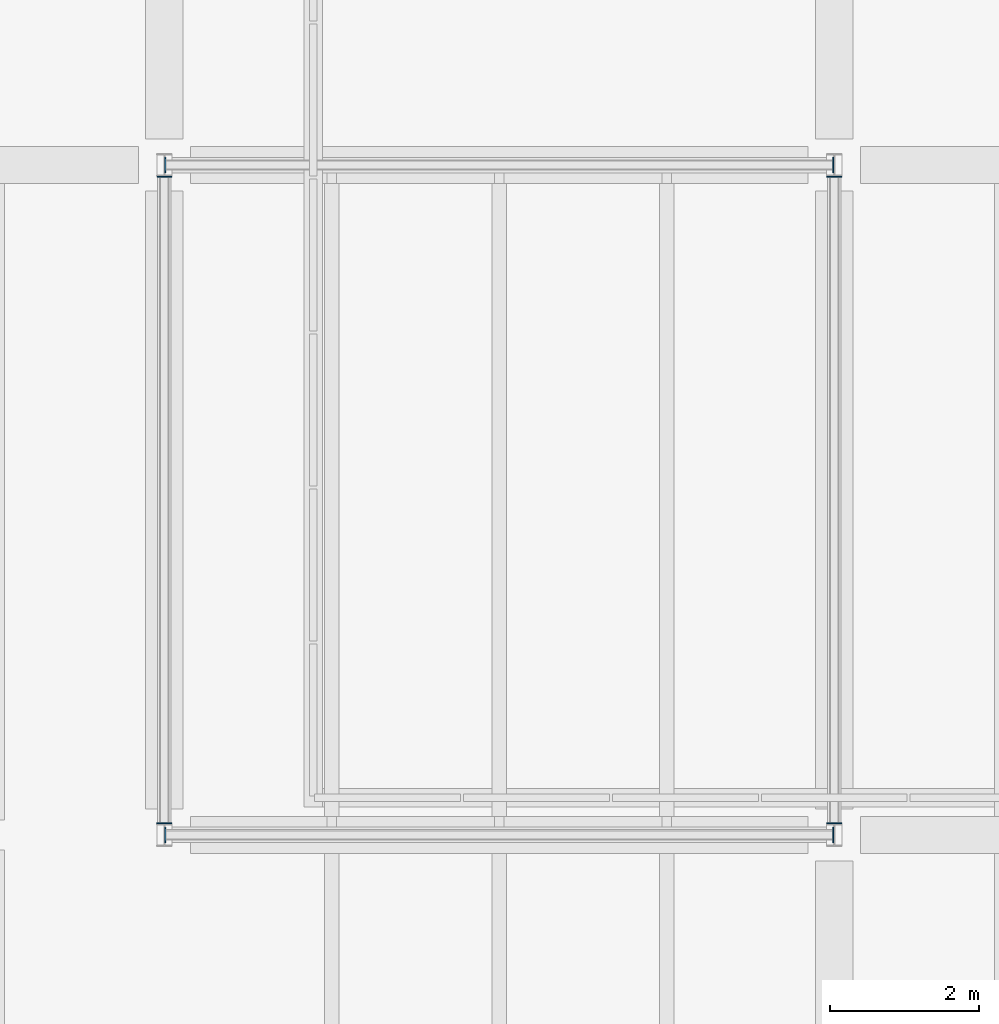
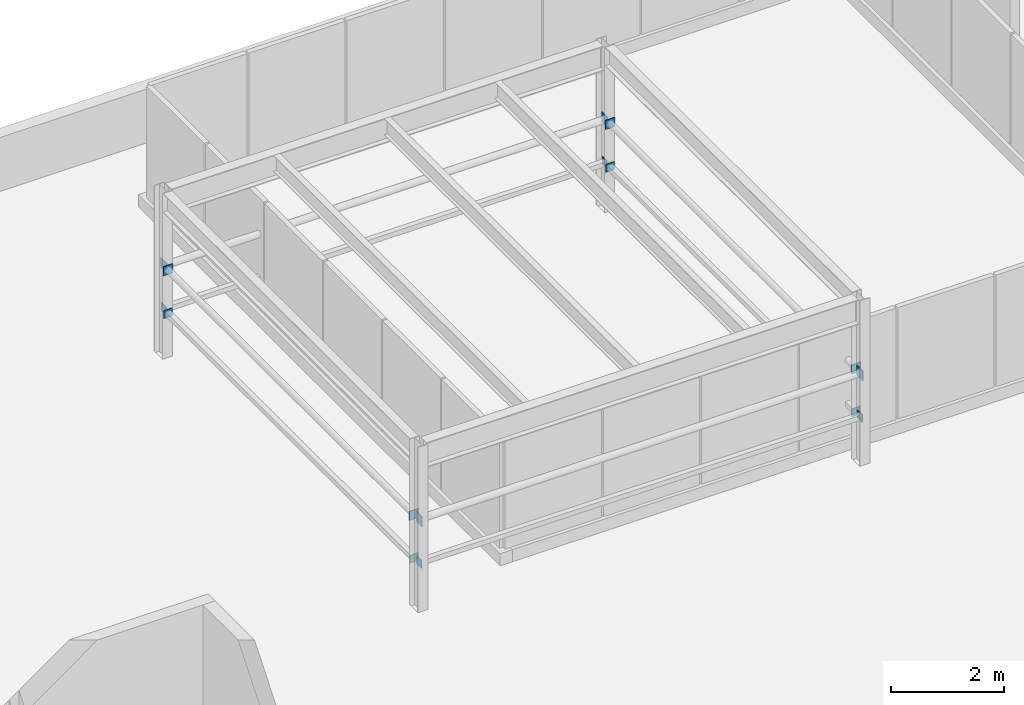
# One storey, part 4 of 5: 16 discrete accessories.
"""IFC4 building model written with IfcOpenShell, lengths in metres."""

import ifcopenshell
import ifcopenshell.guid

model = None  # the IFC model being written
_history = None  # IfcOwnerHistory: only IFC2X3 demands one
_inside = {}  # id of a spatial element -> (the spatial element, [elements in it])
_under = {}  # id of a project, library or spatial element -> (it, [spatial elements below it])
_declared = {}  # id of a project -> (the project, [libraries it declares])
_typed = {}  # id of a type object -> (the type object, [elements of that type])
_made_of = {}  # id of a material, layer set ... -> (it, [elements and type objects made of it])


def new_model(schema):
    """Start an empty IFC model of exactly this schema.

    Asked for "IFC4X3", IfcOpenShell would pick the latest addendum, in which some entities
    have other attributes; the version numbers below select the first issue.
    IFC2X3 requires an IfcOwnerHistory on every rooted entity: one is made here for all.
    """
    global model, _history
    if schema == "IFC4X3":
        model = ifcopenshell.file(schema_version=(4, 3, 0, 0))
    else:
        model = ifcopenshell.file(schema=schema)
    _inside.clear()
    _under.clear()
    _declared.clear()
    _typed.clear()
    _made_of.clear()
    _history = None
    if model.schema == "IFC2X3":
        org = make("IfcOrganization", Name="unknown")
        user = make(
            "IfcPersonAndOrganization",
            ThePerson=make("IfcPerson", FamilyName="unknown"),
            TheOrganization=org,
        )
        app = make(
            "IfcApplication",
            ApplicationDeveloper=org,
            Version="unknown",
            ApplicationFullName="unknown",
            ApplicationIdentifier="unknown",
        )
        _history = make(
            "IfcOwnerHistory",
            OwningUser=user,
            OwningApplication=app,
            ChangeAction="ADDED",
            CreationDate=0,
        )
    return model


def make(cls, **values):
    """One entity of the class cls with the attributes given. An attribute that is None is left unset."""
    return model.create_entity(
        cls, **{name: value for name, value in values.items() if value is not None}
    )


def rooted(cls, **values):
    """An entity with a GlobalId (a new one), such as an element, a storey or a relation."""
    return make(cls, GlobalId=ifcopenshell.guid.new(), OwnerHistory=_history, **values)


def si_unit(unit_type, name, prefix=None):
    """IfcSIUnit, for example si_unit("LENGTHUNIT", "METRE", prefix="MILLI")."""
    return make("IfcSIUnit", UnitType=unit_type, Prefix=prefix, Name=name)


def assignment(units):
    """IfcUnitAssignment: the units of a project."""
    return None if units is None else make("IfcUnitAssignment", Units=units)


def point(xyz):
    """IfcCartesianPoint."""
    return None if xyz is None else make("IfcCartesianPoint", Coordinates=xyz)


def direction(xyz):
    """IfcDirection."""
    return None if xyz is None else make("IfcDirection", DirectionRatios=xyz)


def frame(location, z_axis=None, x_axis=None):
    """IfcAxis2Placement3D, a coordinate frame: its origin and axes. An axis left out is left unset."""
    return make(
        "IfcAxis2Placement3D",
        Location=point(location),
        Axis=direction(z_axis),
        RefDirection=direction(x_axis),
    )


def origin():
    """The frame at (0, 0, 0) with its axes left unset."""
    return frame((0.0, 0.0, 0.0))


def place(relative_to, where):
    """IfcLocalPlacement: puts the frame where relative to a parent placement (None: the world)."""
    return make(
        "IfcLocalPlacement", PlacementRelTo=relative_to, RelativePlacement=where
    )


def context(
    kind, dimensions, precision=None, world=None, true_north=None, identifier=None
):
    """IfcGeometricRepresentationContext, for example the 3D "Model" context."""
    return make(
        "IfcGeometricRepresentationContext",
        ContextIdentifier=identifier,
        ContextType=kind,
        CoordinateSpaceDimension=dimensions,
        Precision=precision,
        WorldCoordinateSystem=world,
        TrueNorth=true_north,
    )


def subcontext(parent, identifier, kind, view, scale=None):
    """IfcGeometricRepresentationSubContext, for example "Body" below "Model"."""
    return make(
        "IfcGeometricRepresentationSubContext",
        ContextIdentifier=identifier,
        ContextType=kind,
        ParentContext=parent,
        TargetScale=scale,
        TargetView=view,
    )


def project(units=None, contexts=None):
    """IfcProject with its units and contexts."""
    return rooted(
        "IfcProject",
        Name="project",
        RepresentationContexts=contexts,
        UnitsInContext=assignment(units),
    )


def spatial(cls, under=None, at=None, **own):
    """A site, building, storey or space (cls), placed at a placement, below another one or the project."""
    s = rooted(cls, ObjectPlacement=at, **own)
    if under is not None:
        _under.setdefault(under.id(), (under, []))[1].append(s)
    return s


def polyline(points):
    """IfcPolyline through the points."""
    return make("IfcPolyline", Points=[point(p) for p in points])


def outline(outer, holes=None, kind="AREA"):
    """IfcArbitraryClosedProfileDef: a profile drawn as a closed curve; with holes, ...WithVoids."""
    if holes is None:
        return make("IfcArbitraryClosedProfileDef", ProfileType=kind, OuterCurve=outer)
    return make(
        "IfcArbitraryProfileDefWithVoids",
        ProfileType=kind,
        OuterCurve=outer,
        InnerCurves=holes,
    )


def extrude(swept, where, along, depth):
    """IfcExtrudedAreaSolid: the profile swept, set in the frame where, extruded along a direction by depth."""
    return make(
        "IfcExtrudedAreaSolid",
        SweptArea=swept,
        Position=where,
        ExtrudedDirection=direction(along),
        Depth=depth,
    )


def shape(context_of_items, identifier, shape_type, items):
    """IfcShapeRepresentation: the items that make up one representation, for example the "Body"."""
    return make(
        "IfcShapeRepresentation",
        ContextOfItems=context_of_items,
        RepresentationIdentifier=identifier,
        RepresentationType=shape_type,
        Items=items,
    )


def source(mapping_origin, context_of_items, identifier, shape_type, items):
    """IfcRepresentationMap: a shape defined once, which mapped items show again and again."""
    return make(
        "IfcRepresentationMap",
        MappingOrigin=mapping_origin,
        MappedRepresentation=shape(context_of_items, identifier, shape_type, items),
    )


def transform(
    local_origin,
    x_axis=None,
    y_axis=None,
    z_axis=None,
    scale=None,
    scale2=None,
    scale3=None,
    uniform=True,
):
    """IfcCartesianTransformationOperator3D, or its non-uniform kind. x_axis, y_axis, z_axis: its Axis1, 2, 3."""
    if uniform:
        return make(
            "IfcCartesianTransformationOperator3D",
            Axis1=direction(x_axis),
            Axis2=direction(y_axis),
            LocalOrigin=point(local_origin),
            Scale=scale,
            Axis3=direction(z_axis),
        )
    return make(
        "IfcCartesianTransformationOperator3DnonUniform",
        Axis1=direction(x_axis),
        Axis2=direction(y_axis),
        LocalOrigin=point(local_origin),
        Scale=scale,
        Axis3=direction(z_axis),
        Scale2=scale2,
        Scale3=scale3,
    )


def mapped(mapping_source, mapping_target):
    """IfcMappedItem: shows the shape of a source again, moved by a transform."""
    return make(
        "IfcMappedItem", MappingSource=mapping_source, MappingTarget=mapping_target
    )


def material(Name=None, Category=None):
    """IfcMaterial."""
    return make("IfcMaterial", Name=Name, Category=Category)


def layer(
    of_material, thickness, ventilated=None, Name=None, Category=None, Priority=None
):
    """IfcMaterialLayer: one layer of a wall or slab, of a material (None: an air gap)."""
    return make(
        "IfcMaterialLayer",
        Material=of_material,
        LayerThickness=thickness,
        IsVentilated=ventilated,
        Name=Name,
        Category=Category,
        Priority=Priority,
    )


def layer_set(layers, Name=None):
    """IfcMaterialLayerSet."""
    return make("IfcMaterialLayerSet", MaterialLayers=layers, LayerSetName=Name)


def made_of(thing, what):
    """Note that an element or type object is made of a material, layer set ...; save() writes the relation."""
    if what is not None:
        _made_of.setdefault(what.id(), (what, []))[1].append(thing)
    return thing


def type_object(cls, material=None, **own):
    """A type object (cls), such as IfcWallType, which elements share."""
    return made_of(rooted(cls, **own), material)


def element(
    cls,
    number,
    at=None,
    inside=None,
    cuts=None,
    type_object=None,
    material=None,
    context=None,
    identifier="Body",
    shape_type=None,
    held_by="IfcProductDefinitionShape",
    body=None,
    shapes=None,
    **own,
):
    """One element of the class cls, such as IfcWall. Its Tag is "e" and its number.

    at: its placement. inside: the storey or other place that contains it. cuts: it is an
    opening in that element (IfcRelVoidsElement). A single representation is given by context,
    identifier, shape_type and body (its items); several are given by shapes. held_by: the class
    of the entity that holds the representations. save() writes the other relations.
    """
    e = rooted(cls, Tag="e%d" % number, ObjectPlacement=at, **own)
    if body is not None:
        shapes = [shape(context, identifier, shape_type, body)]
    if shapes is not None:
        e.Representation = make(held_by, Representations=shapes)
    if inside is not None:
        _inside.setdefault(inside.id(), (inside, []))[1].append(e)
    if cuts is not None:
        rooted(
            "IfcRelVoidsElement", RelatingBuildingElement=cuts, RelatedOpeningElement=e
        )
    if type_object is not None:
        _typed.setdefault(type_object.id(), (type_object, []))[1].append(e)
    return made_of(e, material)


def aggregate(whole, parts):
    """IfcRelAggregates: a whole, such as a stair, and the parts it consists of."""
    return rooted("IfcRelAggregates", RelatingObject=whole, RelatedObjects=parts)


def save(model, path):
    """Write the relations noted so far, then the file.

    IfcRelAggregates (storeys below a building ...), IfcRelContainedInSpatialStructure (elements
    in a storey), IfcRelDefinesByType, IfcRelAssociatesMaterial and IfcRelDeclares: one each for
    every whole, place, type object, material and project.
    """
    for whole, parts in _under.values():
        aggregate(whole, parts)
    for where, things in _inside.values():
        rooted(
            "IfcRelContainedInSpatialStructure",
            RelatedElements=things,
            RelatingStructure=where,
        )
    for kind, things in _typed.values():
        rooted("IfcRelDefinesByType", RelatedObjects=things, RelatingType=kind)
    for what, things in _made_of.values():
        rooted("IfcRelAssociatesMaterial", RelatedObjects=things, RelatingMaterial=what)
    for by, libraries in _declared.values():
        rooted("IfcRelDeclares", RelatingContext=by, RelatedDefinitions=libraries)
    model.write(path)


model = new_model("IFC4")

# Units and contexts
model_context = context("Model", 3, precision=1e-05, world=origin(), true_north=direction((0.0, 1.0)))
body_context = subcontext(model_context, "Body", "Model", "MODEL_VIEW")
ifc_project = project(units=[si_unit("LENGTHUNIT", "METRE"), si_unit("AREAUNIT", "SQUARE_METRE"), si_unit("VOLUMEUNIT", "CUBIC_METRE"), si_unit("PLANEANGLEUNIT", "RADIAN"), si_unit("MASSUNIT", "GRAM", prefix="KILO")], contexts=[model_context])

# Site, building, storey
site_placement = place(None, origin())
site = spatial("IfcSite", under=ifc_project, at=site_placement, CompositionType="ELEMENT")
building_placement = place(site_placement, origin())
building = spatial("IfcBuilding", under=site, at=building_placement, Name="Merrow Basin Faculty of Sciences", CompositionType="ELEMENT")
storey_placement = place(building_placement, frame((0.0, 0.0, 40.5)))
storey = spatial("IfcBuildingStorey", under=building, at=storey_placement, Name="Roof", CompositionType="ELEMENT", Elevation=40.5)

# Discrete accessories
ifc_material_1 = material(Name="Steel ASTM A572 Gr 50", Category="steel")
ifc_layer_1 = layer(ifc_material_1, 0.01611328125)
ifc_layer_set_1 = layer_set([ifc_layer_1], Name="Steel end plate 211 x 211 x 16")
discrete_accessory_type_1 = type_object("IfcDiscreteAccessoryType", Name="Steel end plate 211 x 211 x 16", PredefinedType="ANCHORPLATE", material=ifc_layer_set_1)
shared_shape_1 = source(origin(), body_context, "Body", "SweptSolid", [
    extrude(outline(polyline([(0.0, 0.0), (0.2109375, 0.0), (0.2109375, 0.2109375), (0.0, 0.2109375), (0.0, 0.0)])), origin(), (0.0, 0.0, 1.0), 0.01611328125),
])
for number, where, z_axis, x_axis, name in (
    (1, (27.02001953125, 151.10595703125, 1.822998046875), (-1.0, 0.0, 0.0), (0.0, -1.0, 0.0), "End plate PB1 Roof 001 start"),
    (2, (35.97998046875, 150.89404296875, 1.822998046875), (1.0, 0.0, 0.0), (0.0, 1.0, 0.0), "End plate PB1 Roof 001 end"),
    (3, (27.02001953125, 160.10595703125, 1.822998046875), (-1.0, 0.0, 0.0), (0.0, -1.0, 0.0), "End plate PB1 Roof 002 start"),
    (4, (35.97998046875, 159.89404296875, 1.822998046875), (1.0, 0.0, 0.0), (0.0, 1.0, 0.0), "End plate PB1 Roof 002 end"),
):
    element("IfcDiscreteAccessory", number, at=place(storey_placement, frame(where, z_axis=z_axis, x_axis=x_axis)), inside=storey, type_object=discrete_accessory_type_1, Name=name, PredefinedType="ANCHORPLATE", context=body_context, shape_type="MappedRepresentation", body=[
        mapped(shared_shape_1, transform((0.0, 0.0, 0.0), scale=1.0)),
    ])
ifc_material_2 = material(Name="Steel ASTM A572 Gr 50", Category="steel")
ifc_layer_2 = layer(ifc_material_2, 0.01611328125)
ifc_layer_set_2 = layer_set([ifc_layer_2], Name="Steel end plate 197 x 197 x 16")
discrete_accessory_type_2 = type_object("IfcDiscreteAccessoryType", Name="Steel end plate 197 x 197 x 16", PredefinedType="ANCHORPLATE", material=ifc_layer_set_2)
shared_shape_2 = source(origin(), body_context, "Body", "SweptSolid", [
    extrude(outline(polyline([(0.0, 0.0), (0.197021484375, 0.0), (0.197021484375, 0.197021484375), (0.0, 0.197021484375), (0.0, 0.0)])), origin(), (0.0, 0.0, 1.0), 0.01611328125),
])
for number, where, z_axis, x_axis, name in (
    (5, (26.90087890625, 151.1669921875, 1.837890625), (0.0, -1.0, 0.0), (1.0, 0.0, 0.0), "End plate PE1 Roof 003 start"),
    (6, (27.09912109375, 159.8330078125, 1.837890625), (0.0, 1.0, 0.0), (-1.0, 0.0, 0.0), "End plate PE1 Roof 003 end"),
    (7, (35.90087890625, 151.1669921875, 1.837890625), (0.0, -1.0, 0.0), (1.0, 0.0, 0.0), "End plate PE1 Roof 004 start"),
    (8, (36.09912109375, 159.8330078125, 1.837890625), (0.0, 1.0, 0.0), (-1.0, 0.0, 0.0), "End plate PE1 Roof 004 end"),
):
    element("IfcDiscreteAccessory", number, at=place(storey_placement, frame(where, z_axis=z_axis, x_axis=x_axis)), inside=storey, type_object=discrete_accessory_type_2, Name=name, PredefinedType="ANCHORPLATE", context=body_context, shape_type="MappedRepresentation", body=[
        mapped(shared_shape_2, transform((0.0, 0.0, 0.0), scale=1.0)),
    ])
ifc_material_3 = material(Name="Steel ASTM A572 Gr 50", Category="steel")
ifc_layer_3 = layer(ifc_material_3, 0.01611328125)
ifc_layer_set_3 = layer_set([ifc_layer_3], Name="Steel end plate 172 x 172 x 16")
discrete_accessory_type_3 = type_object("IfcDiscreteAccessoryType", Name="Steel end plate 172 x 172 x 16", PredefinedType="ANCHORPLATE", material=ifc_layer_set_3)
shared_shape_3 = source(origin(), body_context, "Body", "SweptSolid", [
    extrude(outline(polyline([(0.0, 0.0), (0.172119140625, 0.0), (0.172119140625, 0.172119140625), (0.0, 0.172119140625), (0.0, 0.0)])), origin(), (0.0, 0.0, 1.0), 0.01611328125),
])
for number, where, z_axis, x_axis, name in (
    (9, (27.02001953125, 151.0859375, 0.9140625), (-1.0, 0.0, 0.0), (0.0, -1.0, 0.0), "End plate PR1 Roof 005 start"),
    (10, (35.97998046875, 150.9140625, 0.9140625), (1.0, 0.0, 0.0), (0.0, 1.0, 0.0), "End plate PR1 Roof 005 end"),
    (11, (27.02001953125, 160.0859375, 0.9140625), (-1.0, 0.0, 0.0), (0.0, -1.0, 0.0), "End plate PR1 Roof 006 start"),
    (12, (35.97998046875, 159.9140625, 0.9140625), (1.0, 0.0, 0.0), (0.0, 1.0, 0.0), "End plate PR1 Roof 006 end"),
    (13, (26.9140625, 151.1669921875, 0.9140625), (0.0, -1.0, 0.0), (1.0, 0.0, 0.0), "End plate PR1 Roof 007 start"),
    (14, (27.0859375, 159.8330078125, 0.9140625), (0.0, 1.0, 0.0), (-1.0, 0.0, 0.0), "End plate PR1 Roof 007 end"),
    (15, (35.9140625, 151.1669921875, 0.9140625), (0.0, -1.0, 0.0), (1.0, 0.0, 0.0), "End plate PR1 Roof 008 start"),
    (16, (36.0859375, 159.8330078125, 0.9140625), (0.0, 1.0, 0.0), (-1.0, 0.0, 0.0), "End plate PR1 Roof 008 end"),
):
    element("IfcDiscreteAccessory", number, at=place(storey_placement, frame(where, z_axis=z_axis, x_axis=x_axis)), inside=storey, type_object=discrete_accessory_type_3, Name=name, PredefinedType="ANCHORPLATE", context=body_context, shape_type="MappedRepresentation", body=[
        mapped(shared_shape_3, transform((0.0, 0.0, 0.0), scale=1.0)),
    ])

save(model, "model.ifc")
